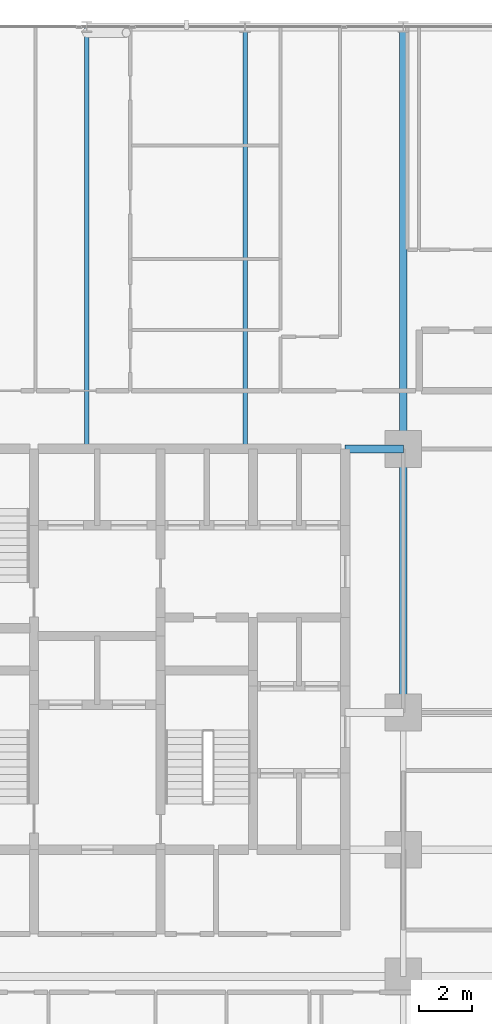
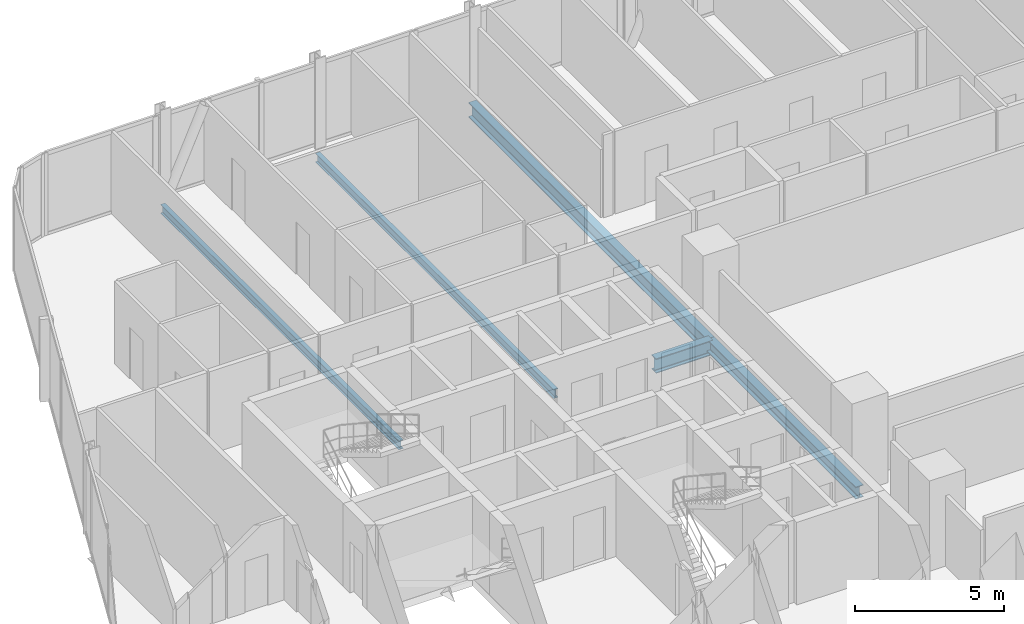
# One storey, part 12 of 34: 5 beams.
"""IFC4 building model written with IfcOpenShell, lengths in metres."""

from ifc_helpers import new_model, si_unit, direction, frame, origin, origin_2d, place, context, subcontext, project, spatial, i_section, extrude, material, material_profile, profile_set, type_object, element, save


model = new_model("IFC4")

# Units and contexts
model_context = context("Model", 3, precision=1e-05, world=origin(), true_north=direction((0.0, 1.0)))
body_context = subcontext(model_context, "Body", "Model", "MODEL_VIEW")
ifc_project = project(units=[si_unit("LENGTHUNIT", "METRE"), si_unit("AREAUNIT", "SQUARE_METRE"), si_unit("VOLUMEUNIT", "CUBIC_METRE"), si_unit("PLANEANGLEUNIT", "RADIAN"), si_unit("MASSUNIT", "GRAM", prefix="KILO")], contexts=[model_context])

# Site, building, storey
site_placement = place(None, origin())
site = spatial("IfcSite", under=ifc_project, at=site_placement, CompositionType="ELEMENT")
building_placement = place(site_placement, origin())
building = spatial("IfcBuilding", under=site, at=building_placement, Name="Keshet Zoharim Tower", CompositionType="ELEMENT")
storey_placement = place(building_placement, frame((0.0, 0.0, 31.39990234375)))
storey = spatial("IfcBuildingStorey", under=building, at=storey_placement, Name="L06", CompositionType="ELEMENT", Elevation=31.39990234375)

# Beams
ifc_material = material(Name="Steel S355", Category="steel")
ifc_material_profile_1 = material_profile(ifc_material, i_section(OverallWidth=0.300048828125, OverallDepth=0.60009765625, WebThickness=0.015380859375, FlangeThickness=0.030029296875, FilletRadius=0.027099609375, at=origin_2d()), Name="HEB600")
ifc_profile_set_1 = profile_set([ifc_material_profile_1], Name="Steel S355")
beam_type_1 = type_object("IfcBeamType", Name="BM-CLK-HB600", PredefinedType="BEAM", material=ifc_profile_set_1)
beam_1_placement = place(storey_placement, frame((30.800048828125, 37.89990234375, -0.614990234375), z_axis=(1.0, 0.0, 0.0), x_axis=(0.0, 1.0, 0.0)))
element("IfcBeam", 1, at=beam_1_placement, inside=storey, type_object=beam_type_1, Name="L06 Core Wall Link Girder 03", PredefinedType="BEAM", context=body_context, shape_type="SweptSolid", body=[
    extrude(i_section(OverallWidth=0.300048828125, OverallDepth=0.60009765625, WebThickness=0.015380859375, FlangeThickness=0.030029296875, FilletRadius=0.027099609375, at=origin_2d()), origin(), (0.0, 0.0, 1.0), 2.199951171875),
])
ifc_material_profile_2 = material_profile(ifc_material, i_section(OverallWidth=0.169921875, OverallDepth=0.360107421875, WebThickness=0.008056640625, FlangeThickness=0.0126953125, FilletRadius=0.01806640625, at=origin_2d()), Name="IPE360")
ifc_profile_set_2 = profile_set([ifc_material_profile_2], Name="Steel S355")
beam_type_2 = type_object("IfcBeamType", Name="BM-JST-IP360", PredefinedType="JOIST", material=ifc_profile_set_2)
for number, where, z_axis, x_axis, name in (
    (2, (21.0, 37.89990234375, -0.494873046875), (0.0, 1.0, 0.0), (-1.0, 0.0, 0.0), "L06 Secondary Floor Joist J-001"),
    (3, (27.0, 37.89990234375, -0.494873046875), (0.0, 1.0, 0.0), (-1.0, 0.0, 0.0), "L06 Secondary Floor Joist J-002"),
):
    element("IfcBeam", number, at=place(storey_placement, frame(where, z_axis=z_axis, x_axis=x_axis)), inside=storey, type_object=beam_type_2, Name=name, PredefinedType="JOIST", context=body_context, shape_type="SweptSolid", body=[
        extrude(i_section(OverallWidth=0.169921875, OverallDepth=0.360107421875, WebThickness=0.008056640625, FlangeThickness=0.0126953125, FilletRadius=0.01806640625, at=origin_2d()), origin(), (0.0, 0.0, 1.0), 16.0),
    ])
ifc_material_profile_3 = material_profile(ifc_material, i_section(OverallWidth=0.300048828125, OverallDepth=0.60009765625, WebThickness=0.015380859375, FlangeThickness=0.030029296875, FilletRadius=0.027099609375, at=origin_2d()), Name="HEB600")
ifc_profile_set_3 = profile_set([ifc_material_profile_3], Name="Steel S355")
beam_type_3 = type_object("IfcBeamType", Name="BM-LNG-HB600", PredefinedType="BEAM", material=ifc_profile_set_3)
beam_2_placement = place(storey_placement, frame((33.0, 37.89990234375, -0.614990234375), z_axis=(0.0, 1.0, 0.0), x_axis=(-1.0, 0.0, 0.0)))
element("IfcBeam", 4, at=beam_2_placement, inside=storey, type_object=beam_type_3, Name="L06 Primary Girder Y-011", PredefinedType="BEAM", context=body_context, shape_type="SweptSolid", body=[
    extrude(i_section(OverallWidth=0.300048828125, OverallDepth=0.60009765625, WebThickness=0.015380859375, FlangeThickness=0.030029296875, FilletRadius=0.027099609375, at=origin_2d()), origin(), (0.0, 0.0, 1.0), 16.0),
])
ifc_material_profile_4 = material_profile(ifc_material, i_section(OverallWidth=0.300048828125, OverallDepth=0.5, WebThickness=0.014404296875, FlangeThickness=0.028076171875, FilletRadius=0.027099609375, at=origin_2d()), Name="HEB500")
ifc_profile_set_4 = profile_set([ifc_material_profile_4], Name="Steel S355")
beam_type_4 = type_object("IfcBeamType", Name="BM-MED-HB500", PredefinedType="BEAM", material=ifc_profile_set_4)
beam_3_placement = place(storey_placement, frame((33.0, 27.89990234375, -0.56494140625), z_axis=(0.0, 1.0, 0.0), x_axis=(-1.0, 0.0, 0.0)))
element("IfcBeam", 5, at=beam_3_placement, inside=storey, type_object=beam_type_4, Name="L06 Primary Girder Y-010", PredefinedType="BEAM", context=body_context, shape_type="SweptSolid", body=[
    extrude(i_section(OverallWidth=0.300048828125, OverallDepth=0.5, WebThickness=0.014404296875, FlangeThickness=0.028076171875, FilletRadius=0.027099609375, at=origin_2d()), origin(), (0.0, 0.0, 1.0), 10.0),
])

save(model, "model.ifc")
